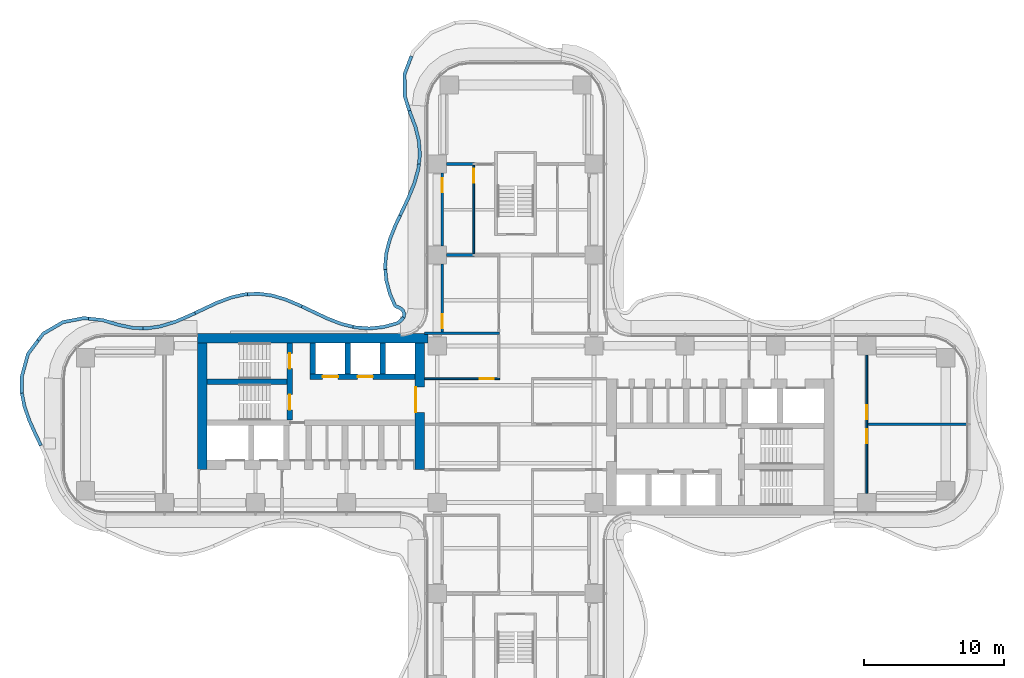
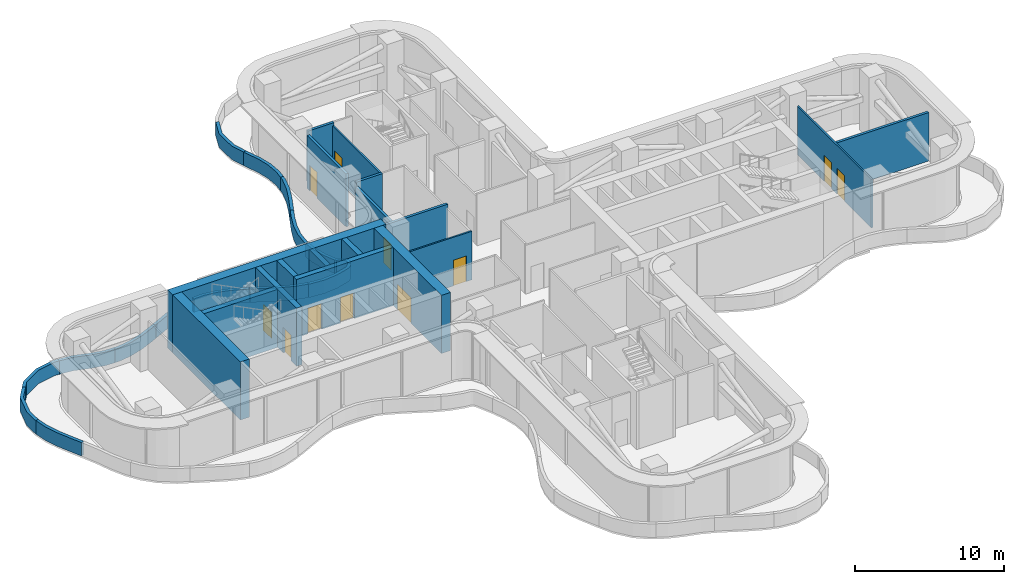
# One storey, part 15 of 20: 32 walls, 11 doors, 11 openings.
"""IFC4 building model written with IfcOpenShell, lengths in metres."""

from ifc_helpers import new_model, si_unit, direction, frame, frame_2d, origin, place, context, subcontext, project, spatial, polyline, rectangle, outline, extrude, source, transform, mapped, material, layer, layer_set, type_object, element, fill, save


model = new_model("IFC4")

# Units and contexts
model_context = context("Model", 3, precision=1e-05, world=origin(), true_north=direction((0.0, 1.0)))
body_context = subcontext(model_context, "Body", "Model", "MODEL_VIEW")
ifc_project = project(units=[si_unit("LENGTHUNIT", "METRE"), si_unit("AREAUNIT", "SQUARE_METRE"), si_unit("VOLUMEUNIT", "CUBIC_METRE"), si_unit("PLANEANGLEUNIT", "RADIAN"), si_unit("MASSUNIT", "GRAM", prefix="KILO")], contexts=[model_context])

# Site, building, storey
site_placement = place(None, origin())
site = spatial("IfcSite", under=ifc_project, at=site_placement, CompositionType="ELEMENT")
building_placement = place(site_placement, origin())
building = spatial("IfcBuilding", under=site, at=building_placement, Name="Trellis Farm Tower", CompositionType="ELEMENT")
storey_placement = place(building_placement, frame((0.0, 0.0, 92.5)))
storey = spatial("IfcBuildingStorey", under=building, at=storey_placement, Name="L19", CompositionType="ELEMENT", Elevation=92.5)

# Walls
ifc_material_1 = material(Name="Lightweight blockwork, plastered", Category="masonry")
ifc_layer_1 = layer(ifc_material_1, 0.199951171875)
ifc_layer_set_1 = layer_set([ifc_layer_1], Name="BLOCK WALL 200 EI 120")
wall_type_1 = type_object("IfcWallType", Name="BLOCK WALL 200 EI 120", PredefinedType="PARTITIONING", material=ifc_layer_set_1)
wall_1_placement = place(storey_placement, frame((25.16259765625, 0.0, 0.0), z_axis=(0.0, 0.0, 1.0), x_axis=(1.0, 0.0, 0.0)))
element("IfcWall", 1, at=wall_1_placement, inside=storey, type_object=wall_type_1, Name="Partition PW3", PredefinedType="PARTITIONING", context=body_context, shape_type="SweptSolid", body=[
    extrude(rectangle(XDim=7.137451171875, YDim=0.199951171875, at=frame_2d((3.56884765625, 0.0))), origin(), (0.0, 0.0, 1.0), 3.9677734375),
])
wall_2_placement = place(storey_placement, frame((-6.5, 6.5, 0.0), z_axis=(0.0, 0.0, 1.0), x_axis=(1.0, 0.0, 0.0)))
element("IfcWall", 2, at=wall_2_placement, inside=storey, type_object=wall_type_1, Name="Partition PW3", PredefinedType="PARTITIONING", context=body_context, shape_type="SweptSolid", body=[
    extrude(rectangle(XDim=5.362548828125, YDim=0.199951171875, at=frame_2d((2.68115234375, 0.0))), origin(), (0.0, 0.0, 1.0), 4.22998046875),
])
ifc_material_2 = material(Name="Sandstone faced insulated wall", Category="masonry")
ifc_layer_2 = layer(ifc_material_2, 0.22509765625)
ifc_layer_set_2 = layer_set([ifc_layer_2], Name="PARAPET WALL 225")
wall_type_2 = type_object("IfcWallType", Name="PARAPET WALL 225", PredefinedType="PARAPET", material=ifc_layer_set_2)
placement = place(storey_placement, origin())
element("IfcWall", 3, at=placement, inside=storey, type_object=wall_type_2, Name="Parapet", PredefinedType="PARAPET", context=body_context, shape_type="SweptSolid", body=[
    extrude(outline(polyline([(-34.044189453125, -1.575927734375), (-34.43505859375, -0.765625), (-34.87890625, 0.222900390625), (-35.237060546875, 1.257080078125), (-35.416015625, 2.197021484375), (-35.187255859375, 2.2412109375), (-35.006591796875, 1.3046875), (-34.662353515625, 0.314453125), (-34.22265625, -0.6650390625), (-33.83251953125, -1.473876953125), (-34.044189453125, -1.575927734375)])), origin(), (0.0, 0.0, 1.0), 1.10009765625),
])
element("IfcWall", 4, at=placement, inside=storey, type_object=wall_type_2, Name="Parapet", PredefinedType="PARAPET", context=body_context, shape_type="SweptSolid", body=[
    extrude(outline(polyline([(-35.416015625, 2.197021484375), (-35.4287109375, 2.26318359375), (-35.4375, 3.36572265625), (-35.43212890625, 3.407958984375), (-34.98828125, 5.0341796875), (-34.961181640625, 5.09521484375), (-34.236328125, 6.05859375), (-34.04931640625, 5.917236328125), (-34.751708984375, 4.9873046875), (-34.7646484375, 4.961181640625), (-35.201171875, 3.361572265625), (-35.19384765625, 2.27587890625), (-35.187255859375, 2.2412109375), (-35.416015625, 2.197021484375)])), origin(), (0.0, 0.0, 1.0), 1.10009765625),
])
element("IfcWall", 5, at=placement, inside=storey, type_object=wall_type_2, Name="Parapet", PredefinedType="PARAPET", context=body_context, shape_type="SweptSolid", body=[
    extrude(outline(polyline([(-34.236328125, 6.05859375), (-33.882080078125, 6.529541015625), (-33.8076171875, 6.595703125), (-32.427001953125, 7.399658203125), (-32.378173828125, 7.41796875), (-30.906982421875, 7.70166015625), (-30.861572265625, 7.70361328125), (-30.52978515625, 7.6689453125), (-30.55419921875, 7.435302734375), (-30.86865234375, 7.468017578125), (-32.314208984375, 7.19091796875), (-33.696533203125, 6.384033203125), (-34.04931640625, 5.917236328125), (-34.236328125, 6.05859375)])), origin(), (0.0, 0.0, 1.0), 1.10009765625),
])
element("IfcWall", 6, at=placement, inside=storey, type_object=wall_type_2, Name="Parapet", PredefinedType="PARAPET", context=body_context, shape_type="SweptSolid", body=[
    extrude(outline(polyline([(-30.52978515625, 7.6689453125), (-29.50244140625, 7.56103515625), (-28.36279296875, 7.215087890625), (-27.34228515625, 7.002685546875), (-26.653076171875, 6.982666015625), (-26.659912109375, 6.747802734375), (-27.359375, 6.768310546875), (-28.42626953125, 6.989013671875), (-29.5380859375, 7.32861328125), (-30.55419921875, 7.435302734375), (-30.52978515625, 7.6689453125)])), origin(), (0.0, 0.0, 1.0), 1.10009765625),
])
element("IfcWall", 7, at=placement, inside=storey, type_object=wall_type_2, Name="Parapet", PredefinedType="PARAPET", context=body_context, shape_type="SweptSolid", body=[
    extrude(outline(polyline([(-26.653076171875, 6.982666015625), (-26.3583984375, 6.97412109375), (-25.420654296875, 7.11328125), (-24.373046875, 7.43701171875), (-23.388427734375, 7.85888671875), (-22.978515625, 8.052001953125), (-22.87841796875, 7.83935546875), (-23.2900390625, 7.6455078125), (-24.2861328125, 7.218505859375), (-25.376953125, 6.882080078125), (-26.354736328125, 6.739013671875), (-26.659912109375, 6.747802734375), (-26.653076171875, 6.982666015625)])), origin(), (0.0, 0.0, 1.0), 1.10009765625),
])
element("IfcWall", 8, at=placement, inside=storey, type_object=wall_type_2, Name="Parapet", PredefinedType="PARAPET", context=body_context, shape_type="SweptSolid", body=[
    extrude(outline(polyline([(-22.978515625, 8.052001953125), (-21.40185546875, 8.794677734375), (-20.402587890625, 9.168212890625), (-19.403564453125, 9.39892578125), (-19.174072265625, 9.411376953125), (-19.161865234375, 9.177978515625), (-19.36083984375, 9.16748046875), (-20.32763671875, 8.945556640625), (-21.30322265625, 8.581298828125), (-22.87841796875, 7.83935546875), (-22.978515625, 8.052001953125)])), origin(), (0.0, 0.0, 1.0), 1.10009765625),
])
element("IfcWall", 9, at=placement, inside=storey, type_object=wall_type_2, Name="Parapet", PredefinedType="PARAPET", context=body_context, shape_type="SweptSolid", body=[
    extrude(outline(polyline([(-19.174072265625, 9.411376953125), (-18.40478515625, 9.453125), (-17.40673828125, 9.323486328125), (-16.4267578125, 9.03515625), (-15.40478515625, 8.609130859375), (-15.23828125, 8.53076171875), (-15.3388671875, 8.318115234375), (-15.502685546875, 8.3955078125), (-16.49951171875, 8.8115234375), (-17.44091796875, 9.090576171875), (-18.396728515625, 9.2177734375), (-19.161865234375, 9.177978515625), (-19.174072265625, 9.411376953125)])), origin(), (0.0, 0.0, 1.0), 1.10009765625),
])
element("IfcWall", 10, at=placement, inside=storey, type_object=wall_type_2, Name="Parapet", PredefinedType="PARAPET", context=body_context, shape_type="SweptSolid", body=[
    extrude(outline(polyline([(-15.23828125, 8.53076171875), (-13.404541015625, 7.664306640625), (-12.4462890625, 7.293212890625), (-11.60009765625, 7.079345703125), (-11.657958984375, 6.851806640625), (-12.5244140625, 7.071533203125), (-13.493408203125, 7.44677734375), (-15.3388671875, 8.318115234375), (-15.23828125, 8.53076171875)])), origin(), (0.0, 0.0, 1.0), 1.10009765625),
])
element("IfcWall", 11, at=placement, inside=storey, type_object=wall_type_2, Name="Parapet", PredefinedType="PARAPET", context=body_context, shape_type="SweptSolid", body=[
    extrude(outline(polyline([(-11.60009765625, 7.079345703125), (-11.460693359375, 7.044189453125), (-10.4697265625, 6.9638671875), (-9.47021484375, 7.067626953125), (-8.542724609375, 7.32373046875), (-8.3955078125, 7.406005859375), (-8.19384765625, 7.598388671875), (-8.121337890625, 7.708984375), (-7.927001953125, 7.578857421875), (-8.0205078125, 7.439208984375), (-8.228759765625, 7.2373046875), (-8.422119140625, 7.119384765625), (-8.465576171875, 7.101318359375), (-9.435791015625, 6.8349609375), (-10.4775390625, 6.728759765625), (-11.5087890625, 6.813720703125), (-11.657958984375, 6.851806640625), (-11.60009765625, 7.079345703125)])), origin(), (0.0, 0.0, 1.0), 1.10009765625),
])
element("IfcWall", 12, at=placement, inside=storey, type_object=wall_type_2, Name="Parapet", PredefinedType="PARAPET", context=body_context, shape_type="SweptSolid", body=[
    extrude(outline(polyline([(-8.121337890625, 7.708984375), (-8.111328125, 7.724609375), (-8.100830078125, 7.7548828125), (-8.0888671875, 7.876953125), (-8.094970703125, 7.912109375), (-8.168701171875, 8.072509765625), (-8.189453125, 8.098388671875), (-8.35400390625, 8.219970703125), (-8.631591796875, 8.3232421875), (-8.7197265625, 8.40673828125), (-9.105712890625, 9.2958984375), (-9.3583984375, 10.244384765625), (-9.439453125, 11.061279296875), (-9.205810546875, 11.083984375), (-9.12890625, 10.295654296875), (-8.881103515625, 9.364990234375), (-8.5234375, 8.54443359375), (-8.5048828125, 8.52685546875), (-8.255859375, 8.43408203125), (-8.20751953125, 8.40771484375), (-8.024169921875, 8.267822265625), (-7.96728515625, 8.197021484375), (-7.868408203125, 7.982177734375), (-7.85205078125, 7.885009765625), (-7.86962890625, 7.704345703125), (-7.898193359375, 7.621826171875), (-7.927001953125, 7.578857421875), (-8.121337890625, 7.708984375)])), origin(), (0.0, 0.0, 1.0), 1.10009765625),
])
element("IfcWall", 13, at=placement, inside=storey, type_object=wall_type_2, Name="Parapet", PredefinedType="PARAPET", context=body_context, shape_type="SweptSolid", body=[
    extrude(outline(polyline([(-9.439453125, 11.061279296875), (-9.45703125, 11.239013671875), (-9.371337890625, 12.24072265625), (-9.110595703125, 13.247314453125), (-8.71337890625, 14.2548828125), (-8.373779296875, 14.971923828125), (-8.16162109375, 14.87158203125), (-8.49609375, 14.164794921875), (-8.883544921875, 13.185546875), (-9.13818359375, 12.210205078125), (-9.22216796875, 11.2509765625), (-9.205810546875, 11.083984375), (-9.439453125, 11.061279296875)])), origin(), (0.0, 0.0, 1.0), 1.10009765625),
])
element("IfcWall", 14, at=placement, inside=storey, type_object=wall_type_2, Name="Parapet", PredefinedType="PARAPET", context=body_context, shape_type="SweptSolid", body=[
    extrude(outline(polyline([(-8.373779296875, 14.971923828125), (-7.77001953125, 16.248291015625), (-7.352783203125, 17.270263671875), (-7.0732421875, 18.2734375), (-7.03662109375, 18.610107421875), (-6.803955078125, 18.584228515625), (-6.84423828125, 18.2197265625), (-7.12548828125, 17.20849609375), (-7.55615234375, 16.150634765625), (-8.16162109375, 14.87158203125), (-8.373779296875, 14.971923828125)])), origin(), (0.0, 0.0, 1.0), 1.10009765625),
])
element("IfcWall", 15, at=placement, inside=storey, type_object=wall_type_2, Name="Parapet", PredefinedType="PARAPET", context=body_context, shape_type="SweptSolid", body=[
    extrude(outline(polyline([(-7.03662109375, 18.610107421875), (-6.96435546875, 19.27197265625), (-7.039306640625, 20.264404296875), (-7.271728515625, 21.211181640625), (-7.664794921875, 22.2421875), (-7.706298828125, 22.370849609375), (-7.482666015625, 22.443115234375), (-7.442138671875, 22.3173828125), (-7.04541015625, 21.274658203125), (-6.8056640625, 20.292236328125), (-6.7294921875, 19.257568359375), (-6.803955078125, 18.584228515625), (-7.03662109375, 18.610107421875)])), origin(), (0.0, 0.0, 1.0), 1.10009765625),
])
element("IfcWall", 16, at=placement, inside=storey, type_object=wall_type_2, Name="Parapet", PredefinedType="PARAPET", context=body_context, shape_type="SweptSolid", body=[
    extrude(outline(polyline([(-7.706298828125, 22.370849609375), (-8.035400390625, 23.3916015625), (-8.04296875, 23.4375), (-8.06201171875, 25.001220703125), (-8.052978515625, 25.06640625), (-7.564208984375, 26.361572265625), (-7.34228515625, 26.276611328125), (-7.822021484375, 25.020751953125), (-7.826904296875, 24.992919921875), (-7.806396484375, 23.447021484375), (-7.482666015625, 22.443115234375), (-7.706298828125, 22.370849609375)])), origin(), (0.0, 0.0, 1.0), 1.10009765625),
])

# Wall, opening, door
ifc_material_3 = material(Name="Concrete C80/95", Category="concrete")
ifc_layer_3 = layer(ifc_material_3, 0.699951171875)
ifc_layer_set_3 = layer_set([ifc_layer_3], Name="CORE OUTER WALL 700 CONCRETE C80/95")
wall_type_3 = type_object("IfcWallType", Name="CORE OUTER WALL 700 CONCRETE C80/95", PredefinedType="SHEAR", material=ifc_layer_set_3)
shared_shape_1 = source(origin(), body_context, "Body", "SweptSolid", [
    extrude(rectangle(XDim=9.050048828125, YDim=0.699951171875, at=frame_2d((4.52490234375, 0.0))), origin(), (0.0, 0.0, 1.0), 4.75),
])
wall_17_placement = place(storey_placement, frame((-6.85009765625, 5.800048828125, 0.0), z_axis=(0.0, 0.0, 1.0), x_axis=(0.0, -1.0, 0.0)))
wall_17 = element("IfcWall", 17, at=wall_17_placement, inside=storey, type_object=wall_type_3, Name="Core wall", PredefinedType="SHEAR", context=body_context, shape_type="MappedRepresentation", body=[
    mapped(shared_shape_1, transform((0.0, 0.0, 0.0))),
])
shared_shape_2 = source(origin(), body_context, "Body", "SweptSolid", [
    extrude(rectangle(XDim=1.800048828125, YDim=2.10009765625, at=frame_2d((0.89990234375, 1.050048828125))), frame((0.0, 0.360107421875, 0.0), z_axis=(0.0, -1.0, 0.0), x_axis=(1.0, 0.0, 0.0)), (0.0, 0.0, 1.0), 0.72021484375),
])
opening_1_placement = place(wall_17_placement, frame((3.14990234375, 0.0, 0.0)))
opening_1 = element("IfcOpeningElement", 18, at=opening_1_placement, cuts=wall_17, Name="Opening DC87", PredefinedType="OPENING", context=body_context, shape_type="MappedRepresentation", body=[
    mapped(shared_shape_2, transform((0.0, 0.0, 0.0))),
])
ifc_material_4 = material(Name="Steel", Category="steel")
door_type_1 = type_object("IfcDoorType", Name="CORE FIRE DOOR DOUBLE 1800 X 2100", OperationType="DOUBLE_DOOR_SINGLE_SWING", PredefinedType="DOOR", material=ifc_material_4)
shared_shape_3 = source(origin(), body_context, "Body", "SweptSolid", [
    extrude(rectangle(XDim=1.800048828125, YDim=2.10009765625, at=frame_2d((0.89990234375, 1.050048828125))), frame((0.0, -0.27490234375, 0.0), z_axis=(0.0, -1.0, 0.0), x_axis=(1.0, 0.0, 0.0)), (0.0, 0.0, 1.0), 0.050048828125),
])
door_1_placement = place(opening_1_placement, origin())
door_1 = element("IfcDoor", 19, at=door_1_placement, inside=storey, type_object=door_type_1, Name="Core door", OperationType="DOUBLE_DOOR_SINGLE_SWING", OverallHeight=2.10009765625, OverallWidth=1.800048828125, PredefinedType="DOOR", context=body_context, shape_type="MappedRepresentation", body=[
    mapped(shared_shape_3, transform((0.0, 0.0, 0.0))),
])
fill(opening_1, door_1)

# Walls
wall_18_placement = place(storey_placement, frame((-22.39990234375, 5.800048828125, 0.0), z_axis=(0.0, 0.0, 1.0), x_axis=(0.0, -1.0, 0.0)))
element("IfcWall", 20, at=wall_18_placement, inside=storey, type_object=wall_type_3, Name="Core wall", PredefinedType="SHEAR", context=body_context, shape_type="MappedRepresentation", body=[
    mapped(shared_shape_1, transform((0.0, 0.0, 0.0))),
])
ifc_layer_4 = layer(ifc_material_3, 0.39990234375)
ifc_layer_set_4 = layer_set([ifc_layer_4], Name="CORE INNER WALL 400 CONCRETE C80/95")
wall_type_4 = type_object("IfcWallType", Name="CORE INNER WALL 400 CONCRETE C80/95", PredefinedType="SHEAR", material=ifc_layer_set_4)
shared_shape_4 = source(origin(), body_context, "Body", "SweptSolid", [
    extrude(rectangle(XDim=2.199951171875, YDim=0.39990234375, at=frame_2d((1.10009765625, 0.0))), origin(), (0.0, 0.0, 1.0), 4.75),
])
for number, where, z_axis, x_axis, name in (
    (21, (-9.5, 5.800048828125, 0.0), (0.0, 0.0, 1.0), (0.0, -1.0, 0.0), "Core wall"),
    (22, (-12.0, 5.800048828125, 0.0), (0.0, 0.0, 1.0), (0.0, -1.0, 0.0), "Core wall"),
    (23, (-14.5, 5.800048828125, 0.0), (0.0, 0.0, 1.0), (0.0, -1.0, 0.0), "Core wall"),
):
    element("IfcWall", number, at=place(storey_placement, frame(where, z_axis=z_axis, x_axis=x_axis)), inside=storey, type_object=wall_type_4, Name=name, PredefinedType="SHEAR", context=body_context, shape_type="MappedRepresentation", body=[
        mapped(shared_shape_4, transform((0.0, 0.0, 0.0))),
    ])
shared_shape_5 = source(origin(), body_context, "Body", "SweptSolid", [
    extrude(rectangle(XDim=16.5, YDim=0.699951171875, at=frame_2d((8.25, 0.0))), origin(), (0.0, 0.0, 1.0), 4.75),
])
wall_19_placement = place(storey_placement, frame((-6.25, 6.14990234375, 0.0), z_axis=(0.0, 0.0, 1.0), x_axis=(-1.0, 0.0, 0.0)))
element("IfcWall", 24, at=wall_19_placement, inside=storey, type_object=wall_type_3, Name="Core wall", PredefinedType="SHEAR", context=body_context, shape_type="MappedRepresentation", body=[
    mapped(shared_shape_5, transform((0.0, 0.0, 0.0))),
])

# Wall, openings, doors
shared_shape_6 = source(origin(), body_context, "Body", "SweptSolid", [
    extrude(rectangle(XDim=7.5, YDim=0.39990234375, at=frame_2d((3.75, 0.0))), origin(), (0.0, 0.0, 1.0), 4.75),
])
wall_20_placement = place(storey_placement, frame((-7.199951171875, 3.39990234375, 0.0), z_axis=(0.0, 0.0, 1.0), x_axis=(-1.0, 0.0, 0.0)))
wall_20 = element("IfcWall", 25, at=wall_20_placement, inside=storey, type_object=wall_type_4, Name="Core wall", PredefinedType="SHEAR", context=body_context, shape_type="MappedRepresentation", body=[
    mapped(shared_shape_6, transform((0.0, 0.0, 0.0))),
])
shared_shape_7 = source(origin(), body_context, "Body", "SweptSolid", [
    extrude(rectangle(XDim=1.10009765625, YDim=2.10009765625, at=frame_2d((0.550048828125, 1.050048828125))), frame((0.0, 0.2099609375, 0.0), z_axis=(0.0, -1.0, 0.0), x_axis=(1.0, 0.0, 0.0)), (0.0, 0.0, 1.0), 0.419921875),
])
opening_2_placement = place(wall_20_placement, frame((3.0, 0.0, 0.0)))
opening_2 = element("IfcOpeningElement", 26, at=opening_2_placement, cuts=wall_20, Name="Opening LD10", PredefinedType="OPENING", context=body_context, shape_type="MappedRepresentation", body=[
    mapped(shared_shape_7, transform((0.0, 0.0, 0.0))),
])
opening_3_placement = place(wall_20_placement, frame((5.5, 0.0, 0.0)))
opening_3 = element("IfcOpeningElement", 27, at=opening_3_placement, cuts=wall_20, Name="Opening LD11", PredefinedType="OPENING", context=body_context, shape_type="MappedRepresentation", body=[
    mapped(shared_shape_7, transform((0.0, 0.0, 0.0))),
])
ifc_material_5 = material(Name="Stainless steel", Category="steel")
door_type_2 = type_object("IfcDoorType", Name="LIFT LANDING DOOR 1100 X 2100", OperationType="DOUBLE_DOOR_SLIDING", PredefinedType="DOOR", material=ifc_material_5)
shared_shape_8 = source(origin(), body_context, "Body", "SweptSolid", [
    extrude(rectangle(XDim=1.10009765625, YDim=2.10009765625, at=frame_2d((0.550048828125, 1.050048828125))), frame((0.0, 0.02490234375, 0.0), z_axis=(0.0, -1.0, 0.0), x_axis=(1.0, 0.0, 0.0)), (0.0, 0.0, 1.0), 0.050048828125),
])
door_2_placement = place(opening_2_placement, origin())
door_2 = element("IfcDoor", 28, at=door_2_placement, inside=storey, type_object=door_type_2, Name="Lift landing door", OperationType="DOUBLE_DOOR_SLIDING", OverallHeight=2.10009765625, OverallWidth=1.10009765625, PredefinedType="DOOR", context=body_context, shape_type="MappedRepresentation", body=[
    mapped(shared_shape_8, transform((0.0, 0.0, 0.0))),
])
fill(opening_2, door_2)
door_3_placement = place(opening_3_placement, origin())
door_3 = element("IfcDoor", 29, at=door_3_placement, inside=storey, type_object=door_type_2, Name="Lift landing door", OperationType="DOUBLE_DOOR_SLIDING", OverallHeight=2.10009765625, OverallWidth=1.10009765625, PredefinedType="DOOR", context=body_context, shape_type="MappedRepresentation", body=[
    mapped(shared_shape_8, transform((0.0, 0.0, 0.0))),
])
fill(opening_3, door_3)

shared_shape_9 = source(origin(), body_context, "Body", "SweptSolid", [
    extrude(rectangle(XDim=5.5, YDim=0.39990234375, at=frame_2d((2.75, 0.0))), origin(), (0.0, 0.0, 1.0), 4.75),
])
wall_21_placement = place(storey_placement, frame((-16.14990234375, 5.800048828125, 0.0), z_axis=(0.0, 0.0, 1.0), x_axis=(0.0, -1.0, 0.0)))
wall_21 = element("IfcWall", 30, at=wall_21_placement, inside=storey, type_object=wall_type_4, Name="Core wall", PredefinedType="SHEAR", context=body_context, shape_type="MappedRepresentation", body=[
    mapped(shared_shape_9, transform((0.0, 0.0, 0.0))),
])
opening_4_placement = place(wall_21_placement, frame((0.72509765625, 0.0, 0.0)))
opening_4 = element("IfcOpeningElement", 31, at=opening_4_placement, cuts=wall_21, Name="Opening DC88", PredefinedType="OPENING", context=body_context, shape_type="MappedRepresentation", body=[
    mapped(shared_shape_7, transform((0.0, 0.0, 0.0))),
])
opening_5_placement = place(wall_21_placement, frame((3.675048828125, 0.0, 0.0)))
opening_5 = element("IfcOpeningElement", 32, at=opening_5_placement, cuts=wall_21, Name="Opening DC89", PredefinedType="OPENING", context=body_context, shape_type="MappedRepresentation", body=[
    mapped(shared_shape_7, transform((0.0, 0.0, 0.0))),
])
door_type_3 = type_object("IfcDoorType", Name="CORE FIRE DOOR 1100 X 2100", OperationType="NOTDEFINED", PredefinedType="DOOR", material=ifc_material_4)
door_4_placement = place(opening_4_placement, origin())
door_4 = element("IfcDoor", 33, at=door_4_placement, inside=storey, type_object=door_type_3, Name="Core door", OperationType="SINGLE_SWING_RIGHT", OverallHeight=2.10009765625, OverallWidth=1.10009765625, PredefinedType="DOOR", context=body_context, shape_type="MappedRepresentation", body=[
    mapped(shared_shape_8, transform((0.0, 0.0, 0.0))),
])
fill(opening_4, door_4)
door_5_placement = place(opening_5_placement, origin())
door_5 = element("IfcDoor", 34, at=door_5_placement, inside=storey, type_object=door_type_3, Name="Core door", OperationType="SINGLE_SWING_LEFT", OverallHeight=2.10009765625, OverallWidth=1.10009765625, PredefinedType="DOOR", context=body_context, shape_type="MappedRepresentation", body=[
    mapped(shared_shape_8, transform((0.0, 0.0, 0.0))),
])
fill(opening_5, door_5)

# Wall
shared_shape_10 = source(origin(), body_context, "Body", "SweptSolid", [
    extrude(rectangle(XDim=5.699951171875, YDim=0.39990234375, at=frame_2d((2.85009765625, 0.0))), origin(), (0.0, 0.0, 1.0), 4.75),
])
wall_22_placement = place(storey_placement, frame((-16.35009765625, 3.050048828125, 0.0), z_axis=(0.0, 0.0, 1.0), x_axis=(-1.0, 0.0, 0.0)))
element("IfcWall", 35, at=wall_22_placement, inside=storey, type_object=wall_type_4, Name="Core wall", PredefinedType="SHEAR", context=body_context, shape_type="MappedRepresentation", body=[
    mapped(shared_shape_10, transform((0.0, 0.0, 0.0))),
])

# Wall, opening, door
shared_shape_11 = source(origin(), body_context, "Body", "SweptSolid", [
    extrude(rectangle(XDim=5.199951171875, YDim=0.199951171875, at=frame_2d((2.60009765625, 0.0))), origin(), (0.0, 0.0, 1.0), 4.323486328125),
])
wall_23_placement = place(storey_placement, frame((-5.25, 12.75, 0.0), z_axis=(0.0, 0.0, 1.0), x_axis=(0.0, 1.0, 0.0)))
wall_23 = element("IfcWall", 36, at=wall_23_placement, inside=storey, type_object=wall_type_1, Name="Partition PW3", PredefinedType="PARTITIONING", context=body_context, shape_type="MappedRepresentation", body=[
    mapped(shared_shape_11, transform((0.0, 0.0, 0.0))),
])
shared_shape_12 = source(origin(), body_context, "Body", "SweptSolid", [
    extrude(rectangle(XDim=1.0, YDim=2.10009765625, at=frame_2d((0.5, 1.050048828125))), frame((0.0, 0.110107421875, 0.0), z_axis=(0.0, -1.0, 0.0), x_axis=(1.0, 0.0, 0.0)), (0.0, 0.0, 1.0), 0.22021484375),
])
opening_6_placement = place(wall_23_placement, frame((3.85009765625, 0.0, 0.0)))
opening_6 = element("IfcOpeningElement", 37, at=opening_6_placement, cuts=wall_23, Name="Opening D110", PredefinedType="OPENING", context=body_context, shape_type="MappedRepresentation", body=[
    mapped(shared_shape_12, transform((0.0, 0.0, 0.0))),
])
ifc_material_6 = material(Name="Fire-rated timber door leaf in a hollow metal frame", Category="wood")
door_type_4 = type_object("IfcDoorType", Name="DOOR 1000x2100 FD30S", OperationType="NOTDEFINED", PredefinedType="DOOR", material=ifc_material_6)
shared_shape_13 = source(origin(), body_context, "Body", "SweptSolid", [
    extrude(rectangle(XDim=1.0, YDim=2.10009765625, at=frame_2d((0.5, 1.050048828125))), frame((0.0, 0.02490234375, 0.0), z_axis=(0.0, -1.0, 0.0), x_axis=(1.0, 0.0, 0.0)), (0.0, 0.0, 1.0), 0.050048828125),
])
door_6_placement = place(opening_6_placement, origin())
door_6 = element("IfcDoor", 38, at=door_6_placement, inside=storey, type_object=door_type_4, Name="Door D110", OperationType="SINGLE_SWING_RIGHT", OverallHeight=2.10009765625, OverallWidth=1.0, PredefinedType="DOOR", context=body_context, shape_type="MappedRepresentation", body=[
    mapped(shared_shape_13, transform((0.0, 0.0, 0.0))),
])
fill(opening_6, door_6)

ifc_material_7 = material(Name="Plasterboard on steel studs, mineral wool", Category="steel")
ifc_layer_5 = layer(ifc_material_7, 0.125)
ifc_layer_set_5 = layer_set([ifc_layer_5], Name="PARTITION 125 STUD EI 60")
wall_type_5 = type_object("IfcWallType", Name="PARTITION 125 STUD EI 60", PredefinedType="PARTITIONING", material=ifc_layer_set_5)
shared_shape_14 = source(origin(), body_context, "Body", "SweptSolid", [
    extrude(rectangle(XDim=6.300048828125, YDim=0.125, at=frame_2d((3.14990234375, 0.0))), origin(), (0.0, 0.0, 1.0), 3.9677734375),
])
wall_24_placement = place(storey_placement, frame((-3.0, 12.199951171875, 0.0), z_axis=(0.0, 0.0, 1.0), x_axis=(0.0, 1.0, 0.0)))
wall_24 = element("IfcWall", 39, at=wall_24_placement, inside=storey, type_object=wall_type_5, Name="Partition PW1", PredefinedType="PARTITIONING", context=body_context, shape_type="MappedRepresentation", body=[
    mapped(shared_shape_14, transform((0.0, 0.0, 0.0))),
])
shared_shape_15 = source(origin(), body_context, "Body", "SweptSolid", [
    extrude(rectangle(XDim=1.0, YDim=2.10009765625, at=frame_2d((0.5, 1.050048828125))), frame((0.0, 0.072509765625, 0.0), z_axis=(0.0, -1.0, 0.0), x_axis=(1.0, 0.0, 0.0)), (0.0, 0.0, 1.0), 0.14501953125),
])
opening_7_placement = place(wall_24_placement, frame((5.050048828125, 0.0, 0.0)))
opening_7 = element("IfcOpeningElement", 40, at=opening_7_placement, cuts=wall_24, Name="Opening D311", PredefinedType="OPENING", context=body_context, shape_type="MappedRepresentation", body=[
    mapped(shared_shape_15, transform((0.0, 0.0, 0.0))),
])
door_type_5 = type_object("IfcDoorType", Name="DOOR 1000x2100 FD60", OperationType="NOTDEFINED", PredefinedType="DOOR", material=ifc_material_6)
door_7_placement = place(opening_7_placement, origin())
door_7 = element("IfcDoor", 41, at=door_7_placement, inside=storey, type_object=door_type_5, Name="Door D311", OperationType="SINGLE_SWING_RIGHT", OverallHeight=2.10009765625, OverallWidth=1.0, PredefinedType="DOOR", context=body_context, shape_type="MappedRepresentation", body=[
    mapped(shared_shape_13, transform((0.0, 0.0, 0.0))),
])
fill(opening_7, door_7)

shared_shape_16 = source(origin(), body_context, "Body", "SweptSolid", [
    extrude(rectangle(XDim=4.849853515625, YDim=0.199951171875, at=frame_2d((2.4248046875, 0.0))), origin(), (0.0, 0.0, 1.0), 4.04638671875),
])
wall_25_placement = place(storey_placement, frame((-5.25, 6.60009765625, 0.0), z_axis=(0.0, 0.0, 1.0), x_axis=(0.0, 1.0, 0.0)))
wall_25 = element("IfcWall", 42, at=wall_25_placement, inside=storey, type_object=wall_type_1, Name="Partition PW3", PredefinedType="PARTITIONING", context=body_context, shape_type="MappedRepresentation", body=[
    mapped(shared_shape_16, transform((0.0, 0.0, 0.0))),
])
opening_8_placement = place(wall_25_placement, frame((0.25, 0.0, 0.0)))
opening_8 = element("IfcOpeningElement", 43, at=opening_8_placement, cuts=wall_25, Name="Opening D108", PredefinedType="OPENING", context=body_context, shape_type="MappedRepresentation", body=[
    mapped(shared_shape_12, transform((0.0, 0.0, 0.0))),
])
door_8_placement = place(opening_8_placement, origin())
door_8 = element("IfcDoor", 44, at=door_8_placement, inside=storey, type_object=door_type_4, Name="Door D108", OperationType="SINGLE_SWING_LEFT", OverallHeight=2.10009765625, OverallWidth=1.0, PredefinedType="DOOR", context=body_context, shape_type="MappedRepresentation", body=[
    mapped(shared_shape_13, transform((0.0, 0.0, 0.0))),
])
fill(opening_8, door_8)

# Wall, openings, doors
shared_shape_17 = source(origin(), body_context, "Body", "SweptSolid", [
    extrude(rectangle(XDim=9.89990234375, YDim=0.125, at=frame_2d((4.949951171875, 0.0))), origin(), (0.0, 0.0, 1.0), 3.9677734375),
])
wall_26_placement = place(storey_placement, frame((25.10009765625, 4.949951171875, 0.0), z_axis=(0.0, 0.0, 1.0), x_axis=(0.0, -1.0, 0.0)))
wall_26 = element("IfcWall", 45, at=wall_26_placement, inside=storey, type_object=wall_type_5, Name="Partition PW1", PredefinedType="PARTITIONING", context=body_context, shape_type="MappedRepresentation", body=[
    mapped(shared_shape_17, transform((0.0, 0.0, 0.0))),
])
opening_9_placement = place(wall_26_placement, frame((5.300048828125, 0.0, 0.0)))
opening_9 = element("IfcOpeningElement", 46, at=opening_9_placement, cuts=wall_26, Name="Opening D306", PredefinedType="OPENING", context=body_context, shape_type="MappedRepresentation", body=[
    mapped(shared_shape_15, transform((0.0, 0.0, 0.0))),
])
opening_10_placement = place(wall_26_placement, frame((3.60009765625, 0.0, 0.0)))
opening_10 = element("IfcOpeningElement", 47, at=opening_10_placement, cuts=wall_26, Name="Opening D307", PredefinedType="OPENING", context=body_context, shape_type="MappedRepresentation", body=[
    mapped(shared_shape_15, transform((0.0, 0.0, 0.0))),
])
door_9_placement = place(opening_9_placement, origin())
door_9 = element("IfcDoor", 48, at=door_9_placement, inside=storey, type_object=door_type_5, Name="Door D306", OperationType="SINGLE_SWING_LEFT", OverallHeight=2.10009765625, OverallWidth=1.0, PredefinedType="DOOR", context=body_context, shape_type="MappedRepresentation", body=[
    mapped(shared_shape_13, transform((0.0, 0.0, 0.0))),
])
fill(opening_9, door_9)
door_10_placement = place(opening_10_placement, origin())
door_10 = element("IfcDoor", 49, at=door_10_placement, inside=storey, type_object=door_type_5, Name="Door D307", OperationType="SINGLE_SWING_RIGHT", OverallHeight=2.10009765625, OverallWidth=1.0, PredefinedType="DOOR", context=body_context, shape_type="MappedRepresentation", body=[
    mapped(shared_shape_13, transform((0.0, 0.0, 0.0))),
])
fill(opening_10, door_10)

# Walls
shared_shape_18 = source(origin(), body_context, "Body", "SweptSolid", [
    extrude(rectangle(XDim=2.012451171875, YDim=0.199951171875, at=frame_2d((1.00634765625, 0.0))), origin(), (0.0, 0.0, 1.0), 4.197021484375),
])
wall_27_placement = place(storey_placement, frame((-4.949951171875, 18.60009765625, 0.0), z_axis=(0.0, 0.0, 1.0), x_axis=(1.0, 0.0, 0.0)))
element("IfcWall", 50, at=wall_27_placement, inside=storey, type_object=wall_type_1, Name="Partition PW3", PredefinedType="PARTITIONING", context=body_context, shape_type="MappedRepresentation", body=[
    mapped(shared_shape_18, transform((0.0, 0.0, 0.0))),
])
shared_shape_19 = source(origin(), body_context, "Body", "SweptSolid", [
    extrude(rectangle(XDim=2.012451171875, YDim=0.199951171875, at=frame_2d((1.00634765625, 0.0))), origin(), (0.0, 0.0, 1.0), 3.9677734375),
])
wall_28_placement = place(storey_placement, frame((-4.949951171875, 12.10009765625, 0.0), z_axis=(0.0, 0.0, 1.0), x_axis=(1.0, 0.0, 0.0)))
element("IfcWall", 51, at=wall_28_placement, inside=storey, type_object=wall_type_1, Name="Partition PW3", PredefinedType="PARTITIONING", context=body_context, shape_type="MappedRepresentation", body=[
    mapped(shared_shape_19, transform((0.0, 0.0, 0.0))),
])

# Wall, opening, door
shared_shape_20 = source(origin(), body_context, "Body", "SweptSolid", [
    extrude(rectangle(XDim=5.362548828125, YDim=0.125, at=frame_2d((2.68115234375, 0.0))), origin(), (0.0, 0.0, 1.0), 3.9677734375),
])
wall_29_placement = place(storey_placement, frame((-6.5, 3.25, 0.0), z_axis=(0.0, 0.0, 1.0), x_axis=(1.0, 0.0, 0.0)))
wall_29 = element("IfcWall", 52, at=wall_29_placement, inside=storey, type_object=wall_type_5, Name="Partition PW1", PredefinedType="PARTITIONING", context=body_context, shape_type="MappedRepresentation", body=[
    mapped(shared_shape_20, transform((0.0, 0.0, 0.0))),
])
opening_11_placement = place(wall_29_placement, frame((3.949951171875, 0.0, 0.0)))
opening_11 = element("IfcOpeningElement", 53, at=opening_11_placement, cuts=wall_29, Name="Opening D308", PredefinedType="OPENING", context=body_context, shape_type="MappedRepresentation", body=[
    mapped(shared_shape_15, transform((0.0, 0.0, 0.0))),
])
door_11_placement = place(opening_11_placement, origin())
door_11 = element("IfcDoor", 54, at=door_11_placement, inside=storey, type_object=door_type_5, Name="Door D308", OperationType="SINGLE_SWING_RIGHT", OverallHeight=2.10009765625, OverallWidth=1.0, PredefinedType="DOOR", context=body_context, shape_type="MappedRepresentation", body=[
    mapped(shared_shape_13, transform((0.0, 0.0, 0.0))),
])
fill(opening_11, door_11)

save(model, "model.ifc")
